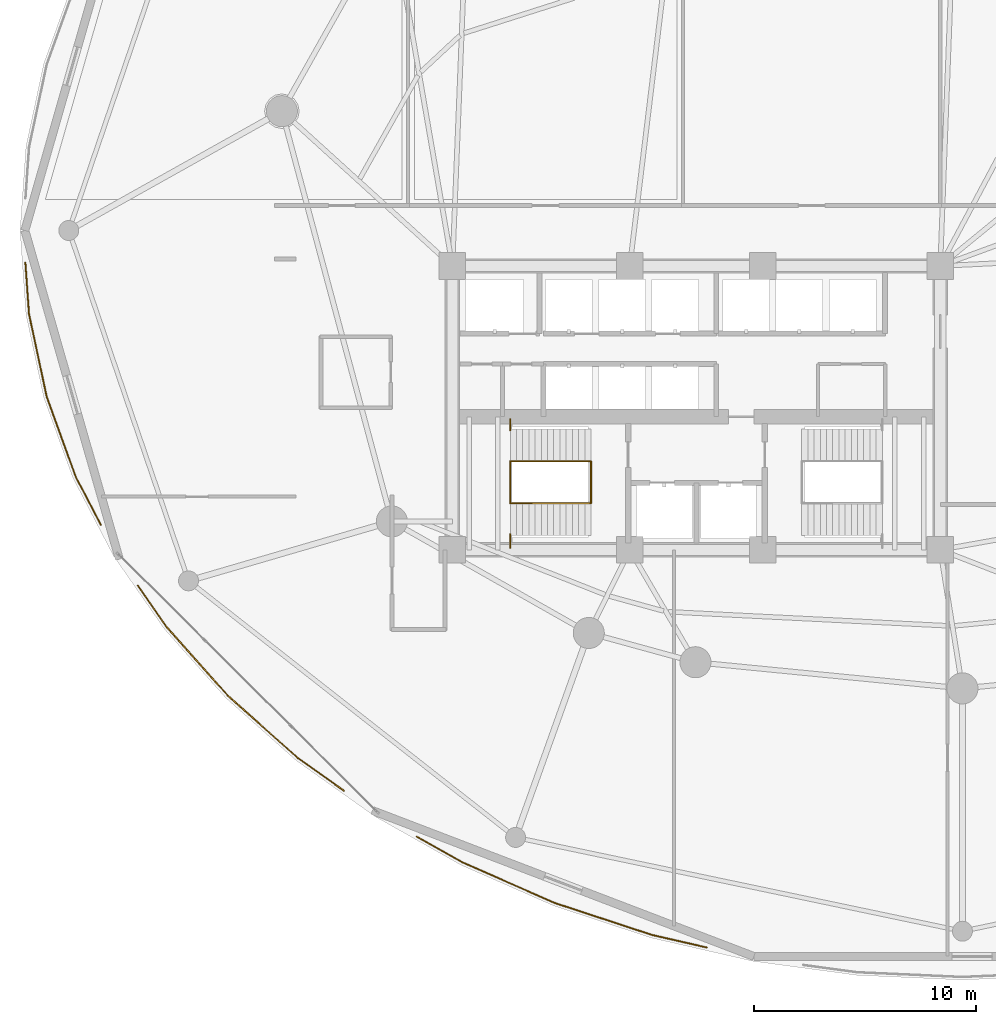
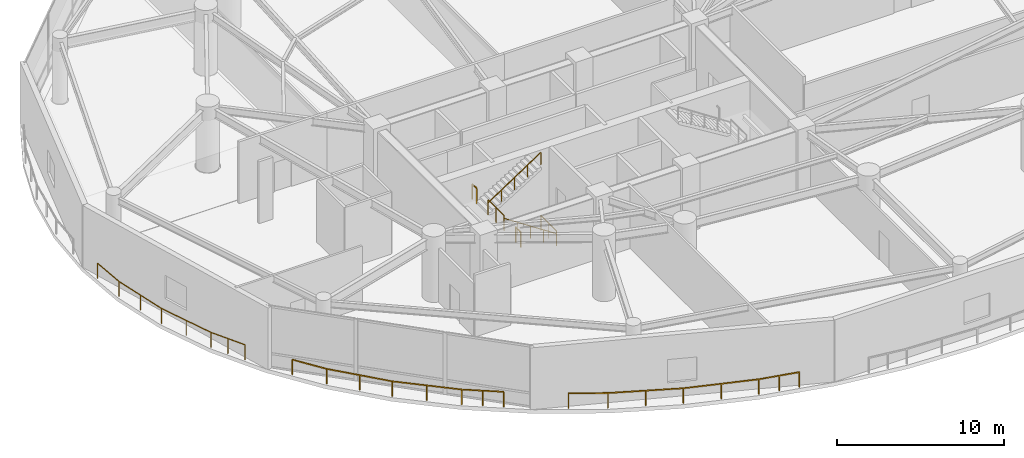
# One storey, part 35 of 40: 9 railings.
"""IFC4 building model written with IfcOpenShell, lengths in metres."""

from ifc_helpers import new_model, si_unit, direction, frame, origin, origin_2d, place, context, subcontext, project, spatial, rectangle, extrude, material, type_object, element, save


model = new_model("IFC4")

# Units and contexts
model_context = context("Model", 3, precision=1e-05, world=origin(), true_north=direction((0.0, 1.0)))
body_context = subcontext(model_context, "Body", "Model", "MODEL_VIEW")
ifc_project = project(units=[si_unit("LENGTHUNIT", "METRE"), si_unit("AREAUNIT", "SQUARE_METRE"), si_unit("VOLUMEUNIT", "CUBIC_METRE"), si_unit("PLANEANGLEUNIT", "RADIAN"), si_unit("MASSUNIT", "GRAM", prefix="KILO")], contexts=[model_context])

# Site, building, storey
site_placement = place(None, origin())
site = spatial("IfcSite", under=ifc_project, at=site_placement, CompositionType="ELEMENT")
building_placement = place(site_placement, origin())
building = spatial("IfcBuilding", under=site, at=building_placement, Name="Kazevale Care Tower and Concert Hall", CompositionType="ELEMENT")
storey_placement = place(building_placement, frame((0.0, 0.0, 9.60009765625)))
storey = spatial("IfcBuildingStorey", under=building, at=storey_placement, Name="L02", CompositionType="ELEMENT", Elevation=9.60009765625)

# Railings
ifc_material_1 = material(Name="Anodised Bronze Aluminium and Laminated Glass", Category="aluminium")
railing_type_1 = type_object("IfcRailingType", Name="Balcony and Terrace Balustrade 1120", PredefinedType="BALUSTRADE", material=ifc_material_1)
railing_1_placement = place(storey_placement, frame((6.135986328125, 24.738037109375, 0.0)))
element("IfcRailing", 1, at=railing_1_placement, inside=storey, type_object=railing_type_1, Name="rail:L02:perim:1", PredefinedType="BALUSTRADE", context=body_context, shape_type="SweptSolid", body=[
    extrude(rectangle(XDim=0.048095703125, YDim=0.048095703125, at=origin_2d()), frame((0.0, 0.0, 1.09619140625), z_axis=(-0.462140207553, 0.88680687219, 0.0), x_axis=(-0.88680687219, -0.462140207553, 0.0)), (0.0, 0.0, 1.0), 2.43017578125),
    extrude(rectangle(XDim=0.048095703125, YDim=0.048095703125, at=origin_2d()), frame((-1.123046875, 2.155029296875, 1.09619140625), z_axis=(-0.340410185576, 0.940277036599, 0.0), x_axis=(-0.940277036599, -0.340410185576, 0.0)), (0.0, 0.0, 1.0), 3.854248046875),
    extrude(rectangle(XDim=0.048095703125, YDim=0.048095703125, at=origin_2d()), frame((-2.43505859375, 5.779052734375, 1.09619140625), z_axis=(-0.20907738305, 0.977899099037, 0.0), x_axis=(-0.977899099037, -0.20907738305, 0.0)), (0.0, 0.0, 1.0), 3.802001953125),
    extrude(rectangle(XDim=0.048095703125, YDim=0.048095703125, at=origin_2d()), frame((-3.22998046875, 9.4970703125, 1.09619140625), z_axis=(-0.070459951237, 0.997514609052, 0.0), x_axis=(-0.997514609052, -0.070459951237, 0.0)), (0.0, 0.0, 1.0), 2.314697265625),
    extrude(rectangle(XDim=0.0419921875, YDim=0.0419921875, at=origin_2d()), origin(), (0.0, 0.0, 1.0), 1.072021484375),
    extrude(rectangle(XDim=0.0419921875, YDim=0.0419921875, at=origin_2d()), frame((-0.5615234375, 1.07763671875, 0.0)), (0.0, 0.0, 1.0), 1.072021484375),
    extrude(rectangle(XDim=0.0419921875, YDim=0.0419921875, at=origin_2d()), frame((-1.123046875, 2.155029296875, 0.0)), (0.0, 0.0, 1.0), 1.072021484375),
    extrude(rectangle(XDim=0.0419921875, YDim=0.0419921875, at=origin_2d()), frame((-1.779052734375, 3.967041015625, 0.0)), (0.0, 0.0, 1.0), 1.072021484375),
    extrude(rectangle(XDim=0.0419921875, YDim=0.0419921875, at=origin_2d()), frame((-2.43505859375, 5.779052734375, 0.0)), (0.0, 0.0, 1.0), 1.072021484375),
    extrude(rectangle(XDim=0.0419921875, YDim=0.0419921875, at=origin_2d()), frame((-2.83251953125, 7.63818359375, 0.0)), (0.0, 0.0, 1.0), 1.072021484375),
    extrude(rectangle(XDim=0.0419921875, YDim=0.0419921875, at=origin_2d()), frame((-3.22998046875, 9.4970703125, 0.0)), (0.0, 0.0, 1.0), 1.072021484375),
    extrude(rectangle(XDim=0.0419921875, YDim=0.0419921875, at=origin_2d()), frame((-3.39306640625, 11.805908203125, 0.0)), (0.0, 0.0, 1.0), 1.072021484375),
])
railing_2_placement = place(storey_placement, frame((17.10107421875, 12.740966796875, 0.0)))
element("IfcRailing", 2, at=railing_2_placement, inside=storey, type_object=railing_type_1, Name="rail:L02:perim:4", PredefinedType="BALUSTRADE", context=body_context, shape_type="SweptSolid", body=[
    extrude(rectangle(XDim=0.048095703125, YDim=0.048095703125, at=origin_2d()), frame((0.0, 0.0, 1.09619140625), z_axis=(-0.815188786096, 0.579195340989, 0.0), x_axis=(-0.579195340989, -0.815188786096, 0.0)), (0.0, 0.0, 1.0), 2.53466796875),
    extrude(rectangle(XDim=0.048095703125, YDim=0.048095703125, at=origin_2d()), frame((-2.066162109375, 1.468017578125, 1.09619140625), z_axis=(-0.746983011463, 0.664843124794, 0.0), x_axis=(-0.664843124794, -0.746983011463, 0.0)), (0.0, 0.0, 1.0), 4.2353515625),
    extrude(rectangle(XDim=0.048095703125, YDim=0.048095703125, at=origin_2d()), frame((-5.22998046875, 4.283935546875, 1.09619140625), z_axis=(-0.665728837253, 0.746193751816, 0.0), x_axis=(-0.746193751816, -0.665728837253, 0.0)), (0.0, 0.0, 1.0), 4.12646484375),
    extrude(rectangle(XDim=0.048095703125, YDim=0.048095703125, at=origin_2d()), frame((-7.97705078125, 7.363037109375, 1.09619140625), z_axis=(-0.570672394322, 0.821177823835, 0.0), x_axis=(-0.821177823835, -0.570672394322, 0.0)), (0.0, 0.0, 1.0), 2.299072265625),
    extrude(rectangle(XDim=0.0419921875, YDim=0.0419921875, at=origin_2d()), origin(), (0.0, 0.0, 1.0), 1.072021484375),
    extrude(rectangle(XDim=0.0419921875, YDim=0.0419921875, at=origin_2d()), frame((-1.033203125, 0.73388671875, 0.0)), (0.0, 0.0, 1.0), 1.072021484375),
    extrude(rectangle(XDim=0.0419921875, YDim=0.0419921875, at=origin_2d()), frame((-2.066162109375, 1.468017578125, 0.0)), (0.0, 0.0, 1.0), 1.072021484375),
    extrude(rectangle(XDim=0.0419921875, YDim=0.0419921875, at=origin_2d()), frame((-3.64794921875, 2.8759765625, 0.0)), (0.0, 0.0, 1.0), 1.072021484375),
    extrude(rectangle(XDim=0.0419921875, YDim=0.0419921875, at=origin_2d()), frame((-5.22998046875, 4.283935546875, 0.0)), (0.0, 0.0, 1.0), 1.072021484375),
    extrude(rectangle(XDim=0.0419921875, YDim=0.0419921875, at=origin_2d()), frame((-6.603515625, 5.823486328125, 0.0)), (0.0, 0.0, 1.0), 1.072021484375),
    extrude(rectangle(XDim=0.0419921875, YDim=0.0419921875, at=origin_2d()), frame((-7.97705078125, 7.363037109375, 0.0)), (0.0, 0.0, 1.0), 1.072021484375),
    extrude(rectangle(XDim=0.0419921875, YDim=0.0419921875, at=origin_2d()), frame((-9.2890625, 9.2509765625, 0.0)), (0.0, 0.0, 1.0), 1.072021484375),
])
railing_3_placement = place(storey_placement, frame((33.47509765625, 5.6650390625, 0.0)))
element("IfcRailing", 3, at=railing_3_placement, inside=storey, type_object=railing_type_1, Name="rail:L02:perim:5", PredefinedType="BALUSTRADE", context=body_context, shape_type="SweptSolid", body=[
    extrude(rectangle(XDim=0.048095703125, YDim=0.048095703125, at=origin_2d()), frame((0.0, 0.0, 1.09619140625), z_axis=(-0.974740171393, 0.223341886518, 0.0), x_axis=(-0.223341886518, -0.974740171393, 0.0)), (0.0, 0.0, 1.0), 2.538330078125),
    extrude(rectangle(XDim=0.048095703125, YDim=0.048095703125, at=origin_2d()), frame((-2.47412109375, 0.56689453125, 1.09619140625), z_axis=(-0.949817857606, 0.312803512405, 0.0), x_axis=(-0.312803512405, -0.949817857606, 0.0)), (0.0, 0.0, 1.0), 4.622802734375),
    extrude(rectangle(XDim=0.048095703125, YDim=0.048095703125, at=origin_2d()), frame((-6.864990234375, 2.012939453125, 1.09619140625), z_axis=(-0.915470269762, 0.402385617514, 0.0), x_axis=(-0.402385617514, -0.915470269762, 0.0)), (0.0, 0.0, 1.0), 4.543212890625),
    extrude(rectangle(XDim=0.048095703125, YDim=0.048095703125, at=origin_2d()), frame((-11.024169921875, 3.841064453125, 1.09619140625), z_axis=(-0.870864175029, 0.491523741696, 0.0), x_axis=(-0.491523741696, -0.870864175029, 0.0)), (0.0, 0.0, 1.0), 2.36767578125),
    extrude(rectangle(XDim=0.0419921875, YDim=0.0419921875, at=origin_2d()), origin(), (0.0, 0.0, 1.0), 1.072021484375),
    extrude(rectangle(XDim=0.0419921875, YDim=0.0419921875, at=origin_2d()), frame((-1.237060546875, 0.283447265625, 0.0)), (0.0, 0.0, 1.0), 1.072021484375),
    extrude(rectangle(XDim=0.0419921875, YDim=0.0419921875, at=origin_2d()), frame((-2.47412109375, 0.56689453125, 0.0)), (0.0, 0.0, 1.0), 1.072021484375),
    extrude(rectangle(XDim=0.0419921875, YDim=0.0419921875, at=origin_2d()), frame((-4.66943359375, 1.2900390625, 0.0)), (0.0, 0.0, 1.0), 1.072021484375),
    extrude(rectangle(XDim=0.0419921875, YDim=0.0419921875, at=origin_2d()), frame((-6.864990234375, 2.012939453125, 0.0)), (0.0, 0.0, 1.0), 1.072021484375),
    extrude(rectangle(XDim=0.0419921875, YDim=0.0419921875, at=origin_2d()), frame((-8.944580078125, 2.927001953125, 0.0)), (0.0, 0.0, 1.0), 1.072021484375),
    extrude(rectangle(XDim=0.0419921875, YDim=0.0419921875, at=origin_2d()), frame((-11.024169921875, 3.841064453125, 0.0)), (0.0, 0.0, 1.0), 1.072021484375),
    extrude(rectangle(XDim=0.0419921875, YDim=0.0419921875, at=origin_2d()), frame((-13.086181640625, 5.0048828125, 0.0)), (0.0, 0.0, 1.0), 1.072021484375),
])
ifc_material_2 = material(Name="Stainless Steel 316", Category="steel")
railing_type_2 = type_object("IfcRailingType", Name="Stair Pitch Handrail 920", PredefinedType="HANDRAIL", material=ifc_material_2)
railing_4_placement = place(storey_placement, frame((28.25, 25.699951171875, 0.0)))
element("IfcRailing", 4, at=railing_4_placement, inside=storey, type_object=railing_type_2, Name="stair:L02:ST1:hr1", PredefinedType="HANDRAIL", context=body_context, shape_type="SweptSolid", body=[
    extrude(rectangle(XDim=0.048095703125, YDim=0.048095703125, at=origin_2d()), frame((0.0, 0.0, 0.89599609375), z_axis=(-0.834865213223, 0.0, 0.550454426587), x_axis=(0.0, -1.0, 0.0)), (0.0, 0.0, 1.0), 4.35986328125),
    extrude(rectangle(XDim=0.0419921875, YDim=0.0419921875, at=origin_2d()), origin(), (0.0, 0.0, 1.0), 0.871826171875),
    extrude(rectangle(XDim=0.0419921875, YDim=0.0419921875, at=origin_2d()), frame((-0.909912109375, 0.0, 0.60009765625)), (0.0, 0.0, 1.0), 0.871826171875),
    extrude(rectangle(XDim=0.0419921875, YDim=0.0419921875, at=origin_2d()), frame((-1.81982421875, 0.0, 1.199951171875)), (0.0, 0.0, 1.0), 0.871826171875),
    extrude(rectangle(XDim=0.0419921875, YDim=0.0419921875, at=origin_2d()), frame((-2.72998046875, 0.0, 1.7998046875)), (0.0, 0.0, 1.0), 0.871826171875),
    extrude(rectangle(XDim=0.0419921875, YDim=0.0419921875, at=origin_2d()), frame((-3.639892578125, 0.0, 2.39990234375)), (0.0, 0.0, 1.0), 0.871826171875),
])
railing_5_placement = place(storey_placement, frame((24.610107421875, 27.60009765625, 2.39990234375)))
element("IfcRailing", 5, at=railing_5_placement, inside=storey, type_object=railing_type_2, Name="stair:L02:ST1:hr2", PredefinedType="HANDRAIL", context=body_context, shape_type="SweptSolid", body=[
    extrude(rectangle(XDim=0.048095703125, YDim=0.048095703125, at=origin_2d()), frame((0.0, 0.0, 0.89599609375), z_axis=(0.834865213223, 0.0, 0.550454426587), x_axis=(0.0, 1.0, 0.0)), (0.0, 0.0, 1.0), 4.35986328125),
    extrude(rectangle(XDim=0.0419921875, YDim=0.0419921875, at=origin_2d()), origin(), (0.0, 0.0, 1.0), 0.871826171875),
    extrude(rectangle(XDim=0.0419921875, YDim=0.0419921875, at=origin_2d()), frame((0.909912109375, 0.0, 0.60009765625)), (0.0, 0.0, 1.0), 0.871826171875),
    extrude(rectangle(XDim=0.0419921875, YDim=0.0419921875, at=origin_2d()), frame((1.81982421875, 0.0, 1.199951171875)), (0.0, 0.0, 1.0), 0.871826171875),
    extrude(rectangle(XDim=0.0419921875, YDim=0.0419921875, at=origin_2d()), frame((2.72998046875, 0.0, 1.7998046875)), (0.0, 0.0, 1.0), 0.871826171875),
    extrude(rectangle(XDim=0.0419921875, YDim=0.0419921875, at=origin_2d()), frame((3.639892578125, 0.0, 2.39990234375)), (0.0, 0.0, 1.0), 0.871826171875),
])
railing_type_3 = type_object("IfcRailingType", Name="Stair Well Guard Balustrade 1120", PredefinedType="BALUSTRADE", material=ifc_material_2)
railing_6_placement = place(storey_placement, frame((24.610107421875, 23.699951171875, 2.39990234375)))
element("IfcRailing", 6, at=railing_6_placement, inside=storey, type_object=railing_type_3, Name="stair:L02:ST1:grd_side1", PredefinedType="BALUSTRADE", context=body_context, shape_type="SweptSolid", body=[
    extrude(rectangle(XDim=0.048095703125, YDim=0.048095703125, at=origin_2d()), frame((0.0, 0.0, 1.09619140625), z_axis=(0.0, 1.0, 0.0), x_axis=(-1.0, 0.0, 0.0)), (0.0, 0.0, 1.0), 0.610107421875),
    extrude(rectangle(XDim=0.0419921875, YDim=0.0419921875, at=origin_2d()), origin(), (0.0, 0.0, 1.0), 1.072021484375),
    extrude(rectangle(XDim=0.0419921875, YDim=0.0419921875, at=origin_2d()), frame((0.0, 0.610107421875, 0.0)), (0.0, 0.0, 1.0), 1.072021484375),
])
railing_7_placement = place(storey_placement, frame((24.610107421875, 28.989990234375, 2.39990234375)))
element("IfcRailing", 7, at=railing_7_placement, inside=storey, type_object=railing_type_3, Name="stair:L02:ST1:grd_side2", PredefinedType="BALUSTRADE", context=body_context, shape_type="SweptSolid", body=[
    extrude(rectangle(XDim=0.048095703125, YDim=0.048095703125, at=origin_2d()), frame((0.0, 0.0, 1.09619140625), z_axis=(0.0, 1.0, 0.0), x_axis=(-1.0, 0.0, 0.0)), (0.0, 0.0, 1.0), 0.510009765625),
    extrude(rectangle(XDim=0.0419921875, YDim=0.0419921875, at=origin_2d()), origin(), (0.0, 0.0, 1.0), 1.072021484375),
    extrude(rectangle(XDim=0.0419921875, YDim=0.0419921875, at=origin_2d()), frame((0.0, 0.510009765625, 0.0)), (0.0, 0.0, 1.0), 1.072021484375),
])
for number, where, name in (
    (8, (24.610107421875, 25.699951171875, 2.39990234375), "stair:L02:ST1:grd_mid"),
    (9, (28.25, 25.699951171875, 0.0), "stair:L02:ST1:grd_flr"),
):
    element("IfcRailing", number, at=place(storey_placement, frame(where)), inside=storey, type_object=railing_type_3, Name=name, PredefinedType="BALUSTRADE", context=body_context, shape_type="SweptSolid", body=[
        extrude(rectangle(XDim=0.048095703125, YDim=0.048095703125, at=origin_2d()), frame((0.0, 0.0, 1.09619140625), z_axis=(0.0, 1.0, 0.0), x_axis=(-1.0, 0.0, 0.0)), (0.0, 0.0, 1.0), 1.900146484375),
        extrude(rectangle(XDim=0.0419921875, YDim=0.0419921875, at=origin_2d()), origin(), (0.0, 0.0, 1.0), 1.072021484375),
        extrude(rectangle(XDim=0.0419921875, YDim=0.0419921875, at=origin_2d()), frame((0.0, 0.9501953125, 0.0)), (0.0, 0.0, 1.0), 1.072021484375),
        extrude(rectangle(XDim=0.0419921875, YDim=0.0419921875, at=origin_2d()), frame((0.0, 1.900146484375, 0.0)), (0.0, 0.0, 1.0), 1.072021484375),
    ])

save(model, "model.ifc")
